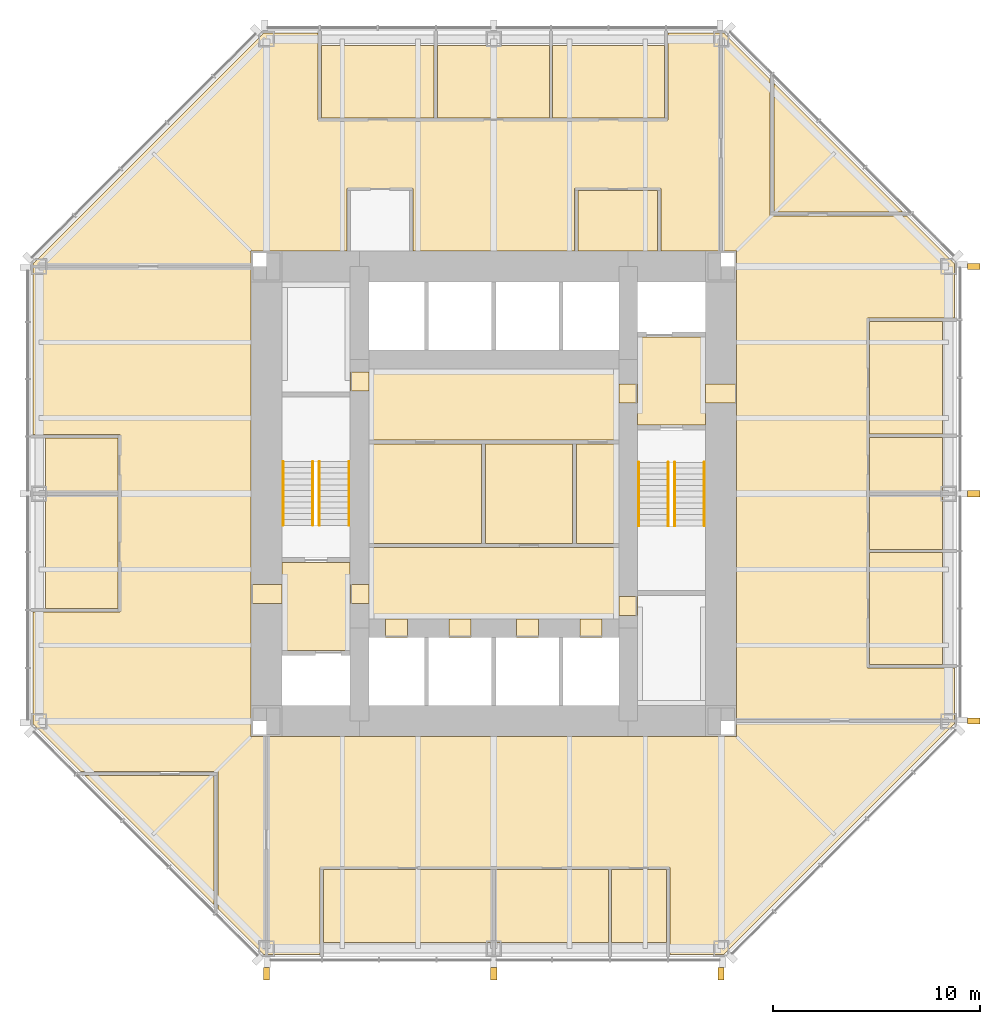
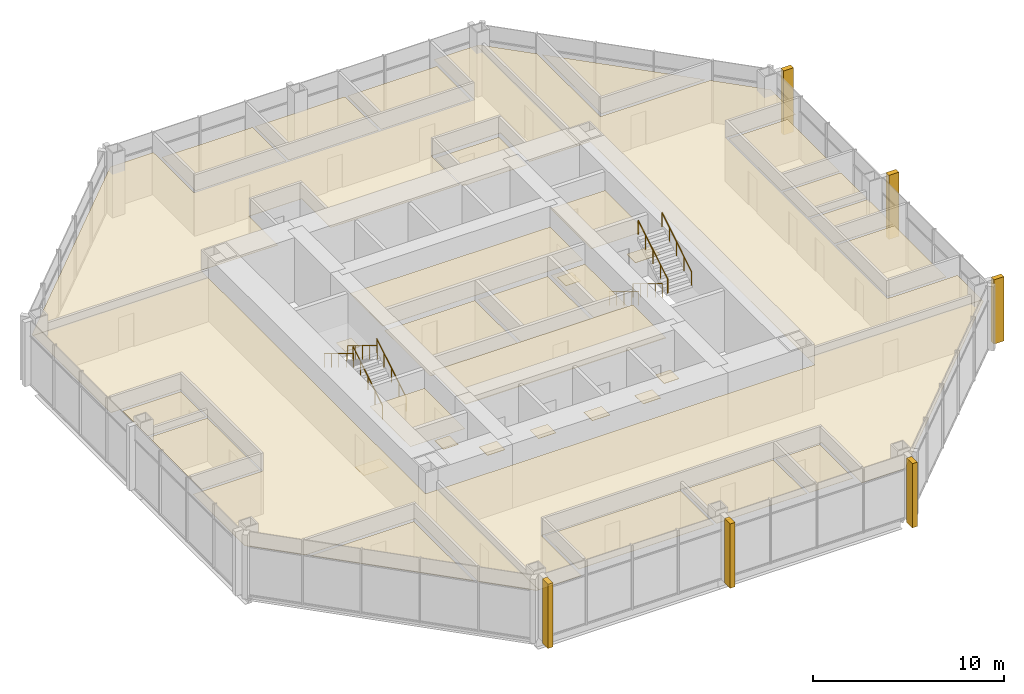
# One storey, part 12 of 12: 42 coverings, 8 railings.
"""IFC4 building model written with IfcOpenShell, lengths in metres."""

from ifc_helpers import new_model, si_unit, direction, frame, origin, origin_2d, place, context, subcontext, project, spatial, polyline, rectangle, circle, outline, extrude, material, layer, layer_set, type_object, element, save


model = new_model("IFC4")

# Units and contexts
model_context = context("Model", 3, precision=1e-05, world=origin(), true_north=direction((0.0, 1.0)))
body_context = subcontext(model_context, "Body", "Model", "MODEL_VIEW")
ifc_project = project(units=[si_unit("LENGTHUNIT", "METRE"), si_unit("AREAUNIT", "SQUARE_METRE"), si_unit("VOLUMEUNIT", "CUBIC_METRE"), si_unit("PLANEANGLEUNIT", "RADIAN"), si_unit("MASSUNIT", "GRAM", prefix="KILO")], contexts=[model_context])

# Site, building, storey
site_placement = place(None, origin())
site = spatial("IfcSite", under=ifc_project, at=site_placement, CompositionType="ELEMENT")
building_placement = place(site_placement, origin())
building = spatial("IfcBuilding", under=site, at=building_placement, Name="Trevanion Tower", CompositionType="ELEMENT")
storey_placement = place(building_placement, frame((0.0, 0.0, 150.0)))
storey = spatial("IfcBuildingStorey", under=building, at=storey_placement, Name="L35", CompositionType="ELEMENT", Elevation=150.0)

# Coverings
ifc_material_1 = material(Name="Fibrous plaster coffers on suspended steel grid", Category="steel")
ifc_layer_1 = layer(ifc_material_1, 0.050048828125)
ifc_layer_set_1 = layer_set([ifc_layer_1], Name="CL1 coffered fibrous plaster ceiling 50")
covering_type_1 = type_object("IfcCoveringType", Name="CL1 coffered fibrous plaster ceiling 50", PredefinedType="CEILING", material=ifc_layer_set_1)
covering_1_placement = place(storey_placement, frame((0.0, 0.0, 3.0)))
element("IfcCovering", 1, at=covering_1_placement, inside=storey, type_object=covering_type_1, Name="CL1 L35-LBS", PredefinedType="CEILING", context=body_context, shape_type="SweptSolid", body=[
    extrude(outline(polyline([(6.050048828125, -6.050048828125), (6.050048828125, -2.60009765625), (-6.050048828125, -2.60009765625), (-6.050048828125, -6.050048828125), (6.050048828125, -6.050048828125)])), origin(), (0.0, 0.0, 1.0), 0.050048828125),
])
ifc_material_2 = material(Name="Mineral fibre acoustic tiles in exposed grid", Category="mineral fibre")
ifc_layer_2 = layer(ifc_material_2, 0.02001953125)
ifc_layer_set_2 = layer_set([ifc_layer_2], Name="CL2 acoustic tile ceiling 20")
covering_type_2 = type_object("IfcCoveringType", Name="CL2 acoustic tile ceiling 20", PredefinedType="CEILING", material=ifc_layer_set_2)
covering_2_placement = place(storey_placement, frame((0.0, 0.0, 2.75)))
element("IfcCovering", 2, at=covering_2_placement, inside=storey, type_object=covering_type_2, Name="CL2 L35-LBN", PredefinedType="CEILING", context=body_context, shape_type="SweptSolid", body=[
    extrude(outline(polyline([(6.050048828125, 2.60009765625), (6.050048828125, 6.050048828125), (-6.050048828125, 6.050048828125), (-6.050048828125, 2.60009765625), (6.050048828125, 2.60009765625)])), origin(), (0.0, 0.0, 1.0), 0.02001953125),
])
covering_3_placement = place(storey_placement, frame((0.0, 0.0, 2.75)))
element("IfcCovering", 3, at=covering_3_placement, inside=storey, type_object=covering_type_2, Name="CL2 L35-MR", PredefinedType="CEILING", context=body_context, shape_type="SweptSolid", body=[
    extrude(outline(polyline([(13.549072265625, 19.875244140625), (19.783203125, 13.64111328125), (13.549072265625, 13.64111328125), (13.549072265625, 19.875244140625)])), origin(), (0.0, 0.0, 1.0), 0.02001953125),
])
covering_4_placement = place(storey_placement, frame((0.0, 0.0, 2.75)))
element("IfcCovering", 4, at=covering_4_placement, inside=storey, type_object=covering_type_2, Name="CL2 L35-MR2", PredefinedType="CEILING", context=body_context, shape_type="SweptSolid", body=[
    extrude(outline(polyline([(-13.549072265625, -19.875244140625), (-19.783203125, -13.64111328125), (-13.549072265625, -13.64111328125), (-13.549072265625, -19.875244140625)])), origin(), (0.0, 0.0, 1.0), 0.02001953125),
])
covering_5_placement = place(storey_placement, frame((0.0, 0.0, 2.75)))
element("IfcCovering", 5, at=covering_5_placement, inside=storey, type_object=covering_type_2, Name="CL2 L35-MR3", PredefinedType="CEILING", context=body_context, shape_type="SweptSolid", body=[
    extrude(outline(polyline([(8.248046875, 18.175048828125), (2.85009765625, 18.175048828125), (2.85009765625, 21.699951171875), (8.248046875, 21.699951171875), (8.248046875, 18.175048828125)])), origin(), (0.0, 0.0, 1.0), 0.02001953125),
])
covering_6_placement = place(storey_placement, frame((0.0, 0.0, 2.75)))
element("IfcCovering", 6, at=covering_6_placement, inside=storey, type_object=covering_type_2, Name="CL2 L35-MR4", PredefinedType="CEILING", context=body_context, shape_type="SweptSolid", body=[
    extrude(outline(polyline([(2.699951171875, 18.175048828125), (-2.73193359375, 18.175048828125), (-2.73193359375, 21.699951171875), (2.699951171875, 21.699951171875), (2.699951171875, 18.175048828125)])), origin(), (0.0, 0.0, 1.0), 0.02001953125),
])
covering_7_placement = place(storey_placement, frame((0.0, 0.0, 2.75)))
element("IfcCovering", 7, at=covering_7_placement, inside=storey, type_object=covering_type_2, Name="CL2 L35-MR5", PredefinedType="CEILING", context=body_context, shape_type="SweptSolid", body=[
    extrude(outline(polyline([(-2.882080078125, 18.175048828125), (-8.345947265625, 18.175048828125), (-8.345947265625, 21.699951171875), (-2.882080078125, 21.699951171875), (-2.882080078125, 18.175048828125)])), origin(), (0.0, 0.0, 1.0), 0.02001953125),
])
covering_8_placement = place(storey_placement, frame((0.0, 0.0, 2.75)))
element("IfcCovering", 8, at=covering_8_placement, inside=storey, type_object=covering_type_2, Name="CL2 L35-TR", PredefinedType="CEILING", context=body_context, shape_type="SweptSolid", body=[
    extrude(outline(polyline([(-8.248046875, -18.175048828125), (-0.074951171875, -18.175048828125), (-0.074951171875, -21.699951171875), (-8.248046875, -21.699951171875), (-8.248046875, -18.175048828125)])), origin(), (0.0, 0.0, 1.0), 0.02001953125),
])
covering_9_placement = place(storey_placement, frame((0.0, 0.0, 2.75)))
element("IfcCovering", 9, at=covering_9_placement, inside=storey, type_object=covering_type_2, Name="CL2 L35-MR6", PredefinedType="CEILING", context=body_context, shape_type="SweptSolid", body=[
    extrude(outline(polyline([(0.074951171875, -18.175048828125), (5.5390625, -18.175048828125), (5.5390625, -21.699951171875), (0.074951171875, -21.699951171875), (0.074951171875, -18.175048828125)])), origin(), (0.0, 0.0, 1.0), 0.02001953125),
])
covering_10_placement = place(storey_placement, frame((0.0, 0.0, 2.75)))
element("IfcCovering", 10, at=covering_10_placement, inside=storey, type_object=covering_type_2, Name="CL2 L35-FR", PredefinedType="CEILING", context=body_context, shape_type="SweptSolid", body=[
    extrude(outline(polyline([(5.68896484375, -18.175048828125), (8.345947265625, -18.175048828125), (8.345947265625, -21.699951171875), (5.68896484375, -21.699951171875), (5.68896484375, -18.175048828125)])), origin(), (0.0, 0.0, 1.0), 0.02001953125),
])
covering_11_placement = place(storey_placement, frame((0.0, 0.0, 2.75)))
element("IfcCovering", 11, at=covering_11_placement, inside=storey, type_object=covering_type_2, Name="CL2 L35-MR7", PredefinedType="CEILING", context=body_context, shape_type="SweptSolid", body=[
    extrude(outline(polyline([(18.175048828125, -8.248046875), (18.175048828125, -2.85009765625), (21.699951171875, -2.85009765625), (21.699951171875, -8.248046875), (18.175048828125, -8.248046875)])), origin(), (0.0, 0.0, 1.0), 0.02001953125),
])
covering_12_placement = place(storey_placement, frame((0.0, 0.0, 2.75)))
element("IfcCovering", 12, at=covering_12_placement, inside=storey, type_object=covering_type_2, Name="CL2 L35-OF", PredefinedType="CEILING", context=body_context, shape_type="SweptSolid", body=[
    extrude(outline(polyline([(18.175048828125, -2.699951171875), (18.175048828125, -0.074951171875), (21.699951171875, -0.074951171875), (21.699951171875, -2.699951171875), (18.175048828125, -2.699951171875)])), origin(), (0.0, 0.0, 1.0), 0.02001953125),
])
covering_13_placement = place(storey_placement, frame((0.0, 0.0, 2.75)))
element("IfcCovering", 13, at=covering_13_placement, inside=storey, type_object=covering_type_2, Name="CL2 L35-OF2", PredefinedType="CEILING", context=body_context, shape_type="SweptSolid", body=[
    extrude(outline(polyline([(18.175048828125, 0.074951171875), (18.175048828125, 2.73193359375), (21.699951171875, 2.73193359375), (21.699951171875, 0.074951171875), (18.175048828125, 0.074951171875)])), origin(), (0.0, 0.0, 1.0), 0.02001953125),
])
covering_14_placement = place(storey_placement, frame((0.0, 0.0, 2.75)))
element("IfcCovering", 14, at=covering_14_placement, inside=storey, type_object=covering_type_2, Name="CL2 L35-MR8", PredefinedType="CEILING", context=body_context, shape_type="SweptSolid", body=[
    extrude(outline(polyline([(18.175048828125, 2.882080078125), (18.175048828125, 8.345947265625), (21.699951171875, 8.345947265625), (21.699951171875, 2.882080078125), (18.175048828125, 2.882080078125)])), origin(), (0.0, 0.0, 1.0), 0.02001953125),
])
covering_15_placement = place(storey_placement, frame((0.0, 0.0, 2.75)))
element("IfcCovering", 15, at=covering_15_placement, inside=storey, type_object=covering_type_2, Name="CL2 L35-OF3", PredefinedType="CEILING", context=body_context, shape_type="SweptSolid", body=[
    extrude(outline(polyline([(-18.175048828125, 2.699951171875), (-18.175048828125, 0.074951171875), (-21.699951171875, 0.074951171875), (-21.699951171875, 2.699951171875), (-18.175048828125, 2.699951171875)])), origin(), (0.0, 0.0, 1.0), 0.02001953125),
])
covering_16_placement = place(storey_placement, frame((0.0, 0.0, 2.75)))
element("IfcCovering", 16, at=covering_16_placement, inside=storey, type_object=covering_type_2, Name="CL2 L35-MR9", PredefinedType="CEILING", context=body_context, shape_type="SweptSolid", body=[
    extrude(outline(polyline([(-18.175048828125, -0.074951171875), (-18.175048828125, -5.5390625), (-21.699951171875, -5.5390625), (-21.699951171875, -0.074951171875), (-18.175048828125, -0.074951171875)])), origin(), (0.0, 0.0, 1.0), 0.02001953125),
])
covering_17_placement = place(storey_placement, frame((0.0, 0.0, 2.75)))
element("IfcCovering", 17, at=covering_17_placement, inside=storey, type_object=covering_type_2, Name="CL2 L35-OP", PredefinedType="CEILING", context=body_context, shape_type="SweptSolid", body=[
    extrude(outline(polyline([(11.75, 11.75), (11.0, 11.75), (11.0, 22.300048828125), (11.124267578125, 22.300048828125), (13.35400390625, 20.0703125), (13.35400390625, 13.446044921875), (19.978271484375, 13.446044921875), (22.300048828125, 11.124267578125), (22.300048828125, 8.51611328125), (18.080078125, 8.51611328125), (18.080078125, -8.41796875), (22.300048828125, -8.41796875), (22.300048828125, -11.0), (11.75, -11.0), (11.75, 11.75)])), origin(), (0.0, 0.0, 1.0), 0.02001953125),
])
covering_18_placement = place(storey_placement, frame((0.0, 0.0, 2.75)))
element("IfcCovering", 18, at=covering_18_placement, inside=storey, type_object=covering_type_2, Name="CL2 L35-OP2", PredefinedType="CEILING", context=body_context, shape_type="SweptSolid", body=[
    extrude(outline(polyline([(8.094970703125, 11.75), (8.094970703125, 14.77001953125), (3.905029296875, 14.77001953125), (3.905029296875, 11.75), (-3.905029296875, 11.75), (-3.905029296875, 14.77001953125), (-7.094970703125, 14.77001953125), (-7.094970703125, 11.75), (-11.75, 11.75), (-11.75, 11.0), (-22.300048828125, 11.0), (-22.300048828125, 11.124267578125), (-11.124267578125, 22.300048828125), (-8.51611328125, 22.300048828125), (-8.51611328125, 18.080078125), (8.41796875, 18.080078125), (8.41796875, 22.300048828125), (11.0, 22.300048828125), (11.0, 11.75), (8.094970703125, 11.75)])), origin(), (0.0, 0.0, 1.0), 0.02001953125),
])
covering_19_placement = place(storey_placement, frame((0.0, 0.0, 2.75)))
element("IfcCovering", 19, at=covering_19_placement, inside=storey, type_object=covering_type_2, Name="CL2 L35-OP3", PredefinedType="CEILING", context=body_context, shape_type="SweptSolid", body=[
    extrude(outline(polyline([(-11.75, -11.75), (-11.0, -11.75), (-11.0, -22.300048828125), (-11.124267578125, -22.300048828125), (-13.35400390625, -20.0703125), (-13.35400390625, -13.446044921875), (-19.978271484375, -13.446044921875), (-22.300048828125, -11.124267578125), (-22.300048828125, -5.708984375), (-18.080078125, -5.708984375), (-18.080078125, 2.8701171875), (-22.300048828125, 2.8701171875), (-22.300048828125, 11.0), (-11.75, 11.0), (-11.75, -11.75)])), origin(), (0.0, 0.0, 1.0), 0.02001953125),
])
covering_20_placement = place(storey_placement, frame((0.0, 0.0, 2.75)))
element("IfcCovering", 20, at=covering_20_placement, inside=storey, type_object=covering_type_2, Name="CL2 L35-OP4", PredefinedType="CEILING", context=body_context, shape_type="SweptSolid", body=[
    extrude(outline(polyline([(11.75, -11.75), (11.75, -11.0), (22.300048828125, -11.0), (22.300048828125, -11.124267578125), (11.124267578125, -22.300048828125), (8.51611328125, -22.300048828125), (8.51611328125, -18.080078125), (-8.41796875, -18.080078125), (-8.41796875, -22.300048828125), (-11.0, -22.300048828125), (-11.0, -11.75), (11.75, -11.75)])), origin(), (0.0, 0.0, 1.0), 0.02001953125),
])
ifc_material_3 = material(Name="Gypsum plasterboard on suspended metal furring", Category="gypsum")
ifc_layer_3 = layer(ifc_material_3, 0.012939453125)
ifc_layer_set_3 = layer_set([ifc_layer_3], Name="CL3 plasterboard ceiling 13")
covering_type_3 = type_object("IfcCoveringType", Name="CL3 plasterboard ceiling 13", PredefinedType="CEILING", material=ifc_layer_set_3)
covering_21_placement = place(storey_placement, frame((0.0, 0.0, 2.699951171875)))
element("IfcCovering", 21, at=covering_21_placement, inside=storey, type_object=covering_type_3, Name="CL3 L35-FV1", PredefinedType="CEILING", context=body_context, shape_type="SweptSolid", body=[
    extrude(outline(polyline([(10.25, 3.324951171875), (10.25, 7.574951171875), (6.949951171875, 7.574951171875), (6.949951171875, 3.324951171875), (10.25, 3.324951171875)])), origin(), (0.0, 0.0, 1.0), 0.012939453125),
])
covering_22_placement = place(storey_placement, frame((0.0, 0.0, 2.699951171875)))
element("IfcCovering", 22, at=covering_22_placement, inside=storey, type_object=covering_type_3, Name="CL3 L35-FV2", PredefinedType="CEILING", context=body_context, shape_type="SweptSolid", body=[
    extrude(outline(polyline([(-10.25, -3.324951171875), (-10.25, -7.574951171875), (-6.949951171875, -7.574951171875), (-6.949951171875, -3.324951171875), (-10.25, -3.324951171875)])), origin(), (0.0, 0.0, 1.0), 0.012939453125),
])
ifc_material_4 = material(Name="Moisture-resistant gypsum board on suspended metal furring", Category="gypsum")
ifc_layer_4 = layer(ifc_material_4, 0.01611328125)
ifc_layer_set_4 = layer_set([ifc_layer_4], Name="CL4 moisture-resistant board ceiling 16")
covering_type_4 = type_object("IfcCoveringType", Name="CL4 moisture-resistant board ceiling 16", PredefinedType="CEILING", material=ifc_layer_set_4)
covering_23_placement = place(storey_placement, frame((0.0, 0.0, 2.60009765625)))
element("IfcCovering", 23, at=covering_23_placement, inside=storey, type_object=covering_type_4, Name="CL4 L35-WCM", PredefinedType="CEILING", context=body_context, shape_type="SweptSolid", body=[
    extrude(outline(polyline([(-0.60009765625, -2.39990234375), (-0.60009765625, 2.39990234375), (-6.050048828125, 2.39990234375), (-6.050048828125, -2.39990234375), (-0.60009765625, -2.39990234375)])), origin(), (0.0, 0.0, 1.0), 0.015869140625),
])
covering_24_placement = place(storey_placement, frame((0.0, 0.0, 2.60009765625)))
element("IfcCovering", 24, at=covering_24_placement, inside=storey, type_object=covering_type_4, Name="CL4 L35-WCF", PredefinedType="CEILING", context=body_context, shape_type="SweptSolid", body=[
    extrude(outline(polyline([(3.800048828125, -2.39990234375), (3.800048828125, 2.39990234375), (-0.39990234375, 2.39990234375), (-0.39990234375, -2.39990234375), (3.800048828125, -2.39990234375)])), origin(), (0.0, 0.0, 1.0), 0.015869140625),
])
covering_25_placement = place(storey_placement, frame((0.0, 0.0, 2.60009765625)))
element("IfcCovering", 25, at=covering_25_placement, inside=storey, type_object=covering_type_4, Name="CL4 L35-WCA", PredefinedType="CEILING", context=body_context, shape_type="SweptSolid", body=[
    extrude(outline(polyline([(6.050048828125, -2.39990234375), (6.050048828125, 2.39990234375), (4.0, 2.39990234375), (4.0, -2.39990234375), (6.050048828125, -2.39990234375)])), origin(), (0.0, 0.0, 1.0), 0.015869140625),
])
covering_26_placement = place(storey_placement, frame((0.0, 0.0, 2.60009765625)))
element("IfcCovering", 26, at=covering_26_placement, inside=storey, type_object=covering_type_4, Name="CL4 L35-PA", PredefinedType="CEILING", context=body_context, shape_type="SweptSolid", body=[
    extrude(outline(polyline([(4.074951171875, 14.675048828125), (7.925048828125, 14.675048828125), (7.925048828125, 11.75), (4.074951171875, 11.75), (4.074951171875, 14.675048828125)])), origin(), (0.0, 0.0, 1.0), 0.015869140625),
])
ifc_material_5 = material(Name="Cast bronze fin on aluminium carrier", Category="aluminium")
covering_type_5 = type_object("IfcCoveringType", Name="F1 bronze fin", PredefinedType="CLADDING", material=ifc_material_5)
for number, where, z_axis, x_axis, name in (
    (27, (23.22509765625, -11.0, -0.18994140625), (0.0, 0.0, 1.0), (0.0, 1.0, 0.0), "F1 L35 east -11.0"),
    (28, (23.22509765625, 0.0, -0.18994140625), (0.0, 0.0, 1.0), (0.0, 1.0, 0.0), "F1 L35 east +0.0"),
    (29, (23.22509765625, 11.0, -0.18994140625), (0.0, 0.0, 1.0), (0.0, 1.0, 0.0), "F1 L35 east +11.0"),
    (30, (-11.0, -23.22509765625, -0.18994140625), (0.0, 0.0, 1.0), (1.0, 0.0, 0.0), "F1 L35 south -11.0"),
    (31, (0.0, -23.22509765625, -0.18994140625), (0.0, 0.0, 1.0), (1.0, 0.0, 0.0), "F1 L35 south +0.0"),
    (32, (11.0, -23.22509765625, -0.18994140625), (0.0, 0.0, 1.0), (1.0, 0.0, 0.0), "F1 L35 south +11.0"),
):
    element("IfcCovering", number, at=place(storey_placement, frame(where, z_axis=z_axis, x_axis=x_axis)), inside=storey, type_object=covering_type_5, Name=name, PredefinedType="CLADDING", context=body_context, shape_type="SweptSolid", body=[
        extrude(rectangle(XDim=0.300048828125, YDim=0.60009765625, at=origin_2d()), origin(), (0.0, 0.0, 1.0), 4.10009765625),
    ])
ifc_material_6 = material(Name="Terrazzo, brass divider strips", Category="stone")
ifc_layer_5 = layer(ifc_material_6, 0.02001953125)
ifc_layer_set_5 = layer_set([ifc_layer_5], Name="FF1 terrazzo flooring")
covering_type_6 = type_object("IfcCoveringType", Name="FF1 terrazzo flooring", PredefinedType="FLOORING", material=ifc_layer_set_5)
covering_27_placement = place(storey_placement, origin())
element("IfcCovering", 33, at=covering_27_placement, inside=storey, type_object=covering_type_6, Name="FF1 threshold 35-001", PredefinedType="FLOORING", context=body_context, shape_type="SweptSolid", body=[
    extrude(outline(polyline([(11.75, 4.392578125), (11.75, 5.3076171875), (10.25, 5.3076171875), (10.25, 4.392578125), (11.75, 4.392578125)])), origin(), (0.0, 0.0, 1.0), 0.02001953125),
])
covering_28_placement = place(storey_placement, origin())
element("IfcCovering", 34, at=covering_28_placement, inside=storey, type_object=covering_type_6, Name="FF1 threshold 35-002", PredefinedType="FLOORING", context=body_context, shape_type="SweptSolid", body=[
    extrude(outline(polyline([(-11.75, -4.392578125), (-11.75, -5.3076171875), (-10.25, -5.3076171875), (-10.25, -4.392578125), (-11.75, -4.392578125)])), origin(), (0.0, 0.0, 1.0), 0.02001953125),
])
covering_29_placement = place(storey_placement, origin())
element("IfcCovering", 35, at=covering_29_placement, inside=storey, type_object=covering_type_6, Name="FF1 threshold 35-003", PredefinedType="FLOORING", context=body_context, shape_type="SweptSolid", body=[
    extrude(outline(polyline([(6.949951171875, 4.392578125), (6.949951171875, 5.3076171875), (6.050048828125, 5.3076171875), (6.050048828125, 4.392578125), (6.949951171875, 4.392578125)])), origin(), (0.0, 0.0, 1.0), 0.02001953125),
])
covering_30_placement = place(storey_placement, origin())
element("IfcCovering", 36, at=covering_30_placement, inside=storey, type_object=covering_type_6, Name="FF1 threshold 35-004", PredefinedType="FLOORING", context=body_context, shape_type="SweptSolid", body=[
    extrude(outline(polyline([(-6.949951171875, -4.392578125), (-6.949951171875, -5.3076171875), (-6.050048828125, -5.3076171875), (-6.050048828125, -4.392578125), (-6.949951171875, -4.392578125)])), origin(), (0.0, 0.0, 1.0), 0.02001953125),
])
covering_31_placement = place(storey_placement, origin())
element("IfcCovering", 37, at=covering_31_placement, inside=storey, type_object=covering_type_6, Name="FF1 threshold 35-009", PredefinedType="FLOORING", context=body_context, shape_type="SweptSolid", body=[
    extrude(outline(polyline([(6.949951171875, -5.889892578125), (6.949951171875, -4.97509765625), (6.050048828125, -4.97509765625), (6.050048828125, -5.889892578125), (6.949951171875, -5.889892578125)])), origin(), (0.0, 0.0, 1.0), 0.02001953125),
])
covering_32_placement = place(storey_placement, origin())
element("IfcCovering", 38, at=covering_32_placement, inside=storey, type_object=covering_type_6, Name="FF1 threshold 35-010", PredefinedType="FLOORING", context=body_context, shape_type="SweptSolid", body=[
    extrude(outline(polyline([(-6.949951171875, 5.889892578125), (-6.949951171875, 4.97509765625), (-6.050048828125, 4.97509765625), (-6.050048828125, 5.889892578125), (-6.949951171875, 5.889892578125)])), origin(), (0.0, 0.0, 1.0), 0.02001953125),
])
covering_33_placement = place(storey_placement, origin())
element("IfcCovering", 39, at=covering_33_placement, inside=storey, type_object=covering_type_6, Name="FF1 threshold 35-011", PredefinedType="FLOORING", context=body_context, shape_type="SweptSolid", body=[
    extrude(outline(polyline([(-5.2333984375, -6.949951171875), (-4.16650390625, -6.949951171875), (-4.16650390625, -6.050048828125), (-5.2333984375, -6.050048828125), (-5.2333984375, -6.949951171875)])), origin(), (0.0, 0.0, 1.0), 0.02001953125),
])
covering_34_placement = place(storey_placement, origin())
element("IfcCovering", 40, at=covering_34_placement, inside=storey, type_object=covering_type_6, Name="FF1 threshold 35-012", PredefinedType="FLOORING", context=body_context, shape_type="SweptSolid", body=[
    extrude(outline(polyline([(-2.158447265625, -6.949951171875), (-1.091552734375, -6.949951171875), (-1.091552734375, -6.050048828125), (-2.158447265625, -6.050048828125), (-2.158447265625, -6.949951171875)])), origin(), (0.0, 0.0, 1.0), 0.02001953125),
])
covering_35_placement = place(storey_placement, origin())
element("IfcCovering", 41, at=covering_35_placement, inside=storey, type_object=covering_type_6, Name="FF1 threshold 35-013", PredefinedType="FLOORING", context=body_context, shape_type="SweptSolid", body=[
    extrude(outline(polyline([(1.091552734375, -6.949951171875), (2.158447265625, -6.949951171875), (2.158447265625, -6.050048828125), (1.091552734375, -6.050048828125), (1.091552734375, -6.949951171875)])), origin(), (0.0, 0.0, 1.0), 0.02001953125),
])
covering_36_placement = place(storey_placement, origin())
element("IfcCovering", 42, at=covering_36_placement, inside=storey, type_object=covering_type_6, Name="FF1 threshold 35-014", PredefinedType="FLOORING", context=body_context, shape_type="SweptSolid", body=[
    extrude(outline(polyline([(4.16650390625, -6.949951171875), (5.2333984375, -6.949951171875), (5.2333984375, -6.050048828125), (4.16650390625, -6.050048828125), (4.16650390625, -6.949951171875)])), origin(), (0.0, 0.0, 1.0), 0.02001953125),
])

# Railings
ifc_material_7 = material(Name="Stainless steel tube 40 mm", Category="steel")
railing_type = type_object("IfcRailingType", Name="HR1 handrail", PredefinedType="HANDRAIL", material=ifc_material_7)
for number, where, name in (
    (43, (7.010009765625, 1.52490234375, 0.1708984375), "HR1 ST1 L35 flight 1"),
    (44, (8.43994140625, 1.52490234375, 0.1708984375), "HR1 ST1 L35 flight 1"),
):
    element("IfcRailing", number, at=place(storey_placement, frame(where)), inside=storey, type_object=railing_type, Name=name, PredefinedType="HANDRAIL", context=body_context, shape_type="SweptSolid", body=[
        extrude(circle(Radius=0.02001953125, at=origin_2d()), frame((0.0, 0.0, 0.8798828125), z_axis=(0.0, -0.853647949592, 0.520850437417), x_axis=(1.0, 0.0, 0.0)), (0.0, 0.0, 1.0), 3.60791015625),
        extrude(circle(Radius=0.01513671875, at=origin_2d()), origin(), (0.0, 0.0, 1.0), 0.85986328125),
        extrude(circle(Radius=0.01513671875, at=origin_2d()), frame((0.0, -0.77001953125, 0.4697265625)), (0.0, 0.0, 1.0), 0.85986328125),
        extrude(circle(Radius=0.01513671875, at=origin_2d()), frame((0.0, -1.5400390625, 0.939453125)), (0.0, 0.0, 1.0), 0.85986328125),
        extrude(circle(Radius=0.01513671875, at=origin_2d()), frame((0.0, -2.309814453125, 1.409423828125)), (0.0, 0.0, 1.0), 0.85986328125),
        extrude(circle(Radius=0.01513671875, at=origin_2d()), frame((0.0, -3.079833984375, 1.879150390625)), (0.0, 0.0, 1.0), 0.85986328125),
    ])
for number, where, name in (
    (45, (8.760009765625, -1.554931640625, 2.220703125), "HR1 ST1 L35 flight 2"),
    (46, (10.18994140625, -1.554931640625, 2.220703125), "HR1 ST1 L35 flight 2"),
):
    element("IfcRailing", number, at=place(storey_placement, frame(where)), inside=storey, type_object=railing_type, Name=name, PredefinedType="HANDRAIL", context=body_context, shape_type="SweptSolid", body=[
        extrude(circle(Radius=0.02001953125, at=origin_2d()), frame((0.0, 0.0, 0.8798828125), z_axis=(0.0, 0.853617861917, 0.520899746416), x_axis=(-1.0, 0.0, 0.0)), (0.0, 0.0, 1.0), 3.60791015625),
        extrude(circle(Radius=0.01513671875, at=origin_2d()), origin(), (0.0, 0.0, 1.0), 0.85986328125),
        extrude(circle(Radius=0.01513671875, at=origin_2d()), frame((0.0, 0.77001953125, 0.4697265625)), (0.0, 0.0, 1.0), 0.85986328125),
        extrude(circle(Radius=0.01513671875, at=origin_2d()), frame((0.0, 1.5400390625, 0.939697265625)), (0.0, 0.0, 1.0), 0.85986328125),
        extrude(circle(Radius=0.01513671875, at=origin_2d()), frame((0.0, 2.309814453125, 1.40966796875)), (0.0, 0.0, 1.0), 0.85986328125),
        extrude(circle(Radius=0.01513671875, at=origin_2d()), frame((0.0, 3.079833984375, 1.87939453125)), (0.0, 0.0, 1.0), 0.85986328125),
    ])
for number, where, name in (
    (47, (-7.010009765625, -1.52490234375, 0.1708984375), "HR1 ST2 L35 flight 1"),
    (48, (-8.43994140625, -1.52490234375, 0.1708984375), "HR1 ST2 L35 flight 1"),
):
    element("IfcRailing", number, at=place(storey_placement, frame(where)), inside=storey, type_object=railing_type, Name=name, PredefinedType="HANDRAIL", context=body_context, shape_type="SweptSolid", body=[
        extrude(circle(Radius=0.02001953125, at=origin_2d()), frame((0.0, 0.0, 0.8798828125), z_axis=(0.0, 0.853647949592, 0.520850437417), x_axis=(-1.0, 0.0, 0.0)), (0.0, 0.0, 1.0), 3.60791015625),
        extrude(circle(Radius=0.01513671875, at=origin_2d()), origin(), (0.0, 0.0, 1.0), 0.85986328125),
        extrude(circle(Radius=0.01513671875, at=origin_2d()), frame((0.0, 0.77001953125, 0.4697265625)), (0.0, 0.0, 1.0), 0.85986328125),
        extrude(circle(Radius=0.01513671875, at=origin_2d()), frame((0.0, 1.5400390625, 0.939453125)), (0.0, 0.0, 1.0), 0.85986328125),
        extrude(circle(Radius=0.01513671875, at=origin_2d()), frame((0.0, 2.309814453125, 1.409423828125)), (0.0, 0.0, 1.0), 0.85986328125),
        extrude(circle(Radius=0.01513671875, at=origin_2d()), frame((0.0, 3.079833984375, 1.879150390625)), (0.0, 0.0, 1.0), 0.85986328125),
    ])
for number, where, name in (
    (49, (-8.760009765625, 1.554931640625, 2.220703125), "HR1 ST2 L35 flight 2"),
    (50, (-10.18994140625, 1.554931640625, 2.220703125), "HR1 ST2 L35 flight 2"),
):
    element("IfcRailing", number, at=place(storey_placement, frame(where)), inside=storey, type_object=railing_type, Name=name, PredefinedType="HANDRAIL", context=body_context, shape_type="SweptSolid", body=[
        extrude(circle(Radius=0.02001953125, at=origin_2d()), frame((0.0, 0.0, 0.8798828125), z_axis=(0.0, -0.853617861917, 0.520899746416), x_axis=(1.0, 0.0, 0.0)), (0.0, 0.0, 1.0), 3.60791015625),
        extrude(circle(Radius=0.01513671875, at=origin_2d()), origin(), (0.0, 0.0, 1.0), 0.85986328125),
        extrude(circle(Radius=0.01513671875, at=origin_2d()), frame((0.0, -0.77001953125, 0.4697265625)), (0.0, 0.0, 1.0), 0.85986328125),
        extrude(circle(Radius=0.01513671875, at=origin_2d()), frame((0.0, -1.5400390625, 0.939697265625)), (0.0, 0.0, 1.0), 0.85986328125),
        extrude(circle(Radius=0.01513671875, at=origin_2d()), frame((0.0, -2.309814453125, 1.40966796875)), (0.0, 0.0, 1.0), 0.85986328125),
        extrude(circle(Radius=0.01513671875, at=origin_2d()), frame((0.0, -3.079833984375, 1.87939453125)), (0.0, 0.0, 1.0), 0.85986328125),
    ])

save(model, "model.ifc")
